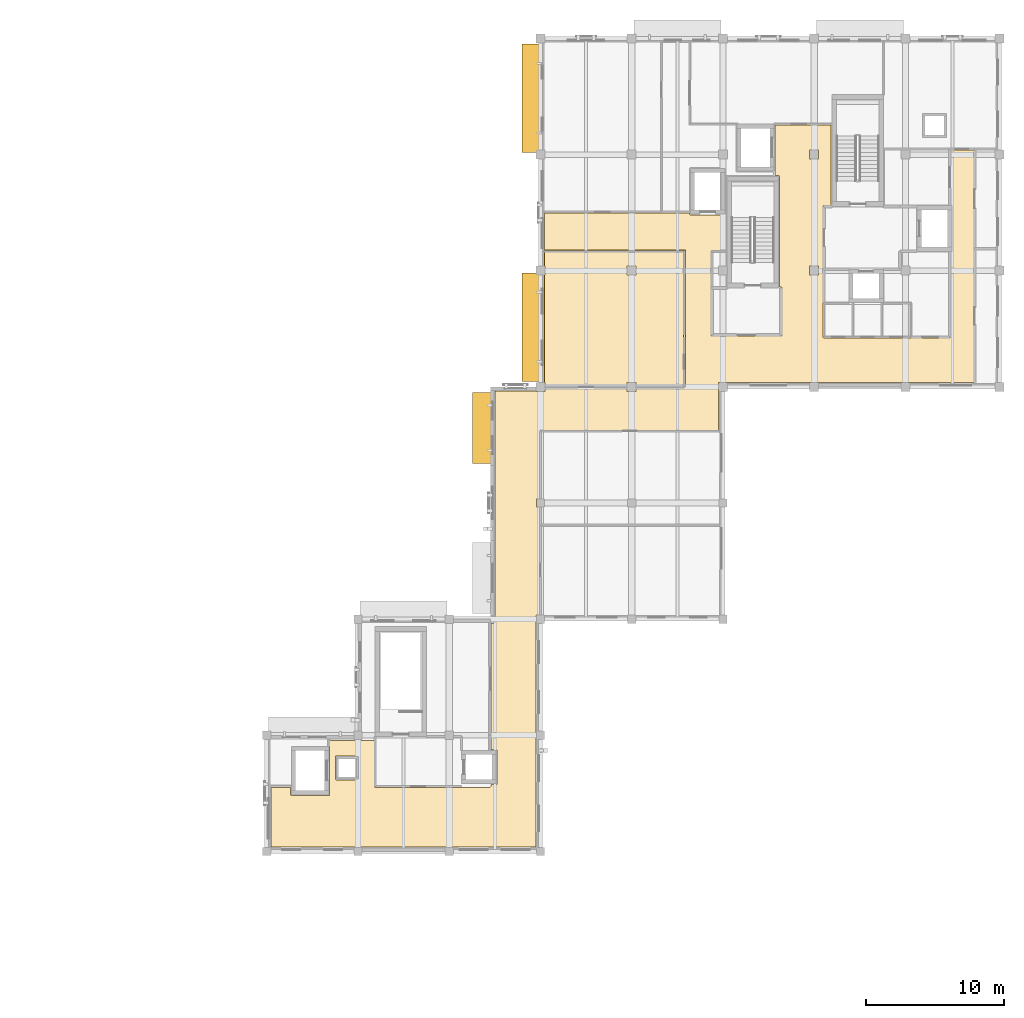
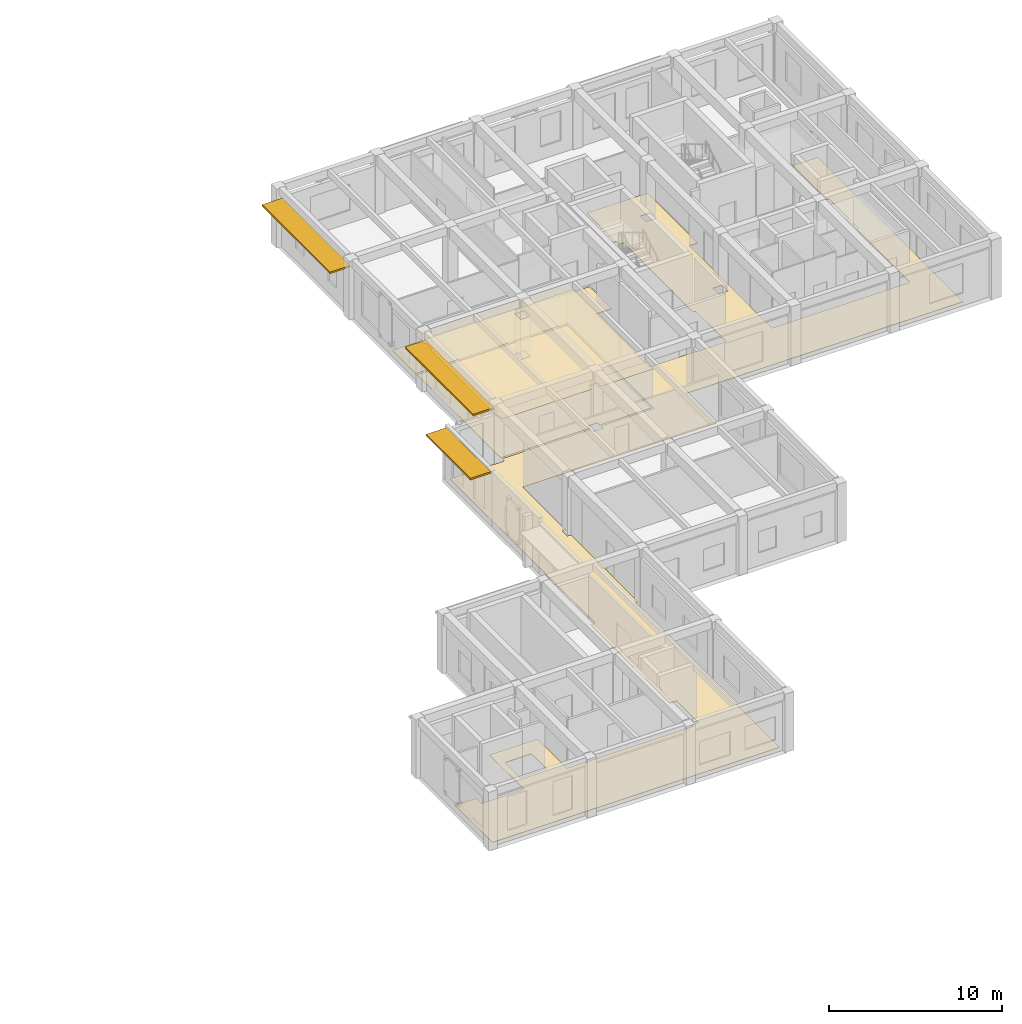
# One storey, part 13 of 14: 3 coverings, 3 shading devices.
"""IFC4 building model written with IfcOpenShell, lengths in metres."""

from ifc_helpers import new_model, si_unit, direction, frame, origin, origin_2d, place, context, subcontext, project, spatial, polyline, rectangle, outline, extrude, material, layer, layer_set, type_object, element, save


model = new_model("IFC4")

# Units and contexts
model_context = context("Model", 3, precision=1e-05, world=origin(), true_north=direction((0.0, 1.0)))
body_context = subcontext(model_context, "Body", "Model", "MODEL_VIEW")
ifc_project = project(units=[si_unit("LENGTHUNIT", "METRE"), si_unit("AREAUNIT", "SQUARE_METRE"), si_unit("VOLUMEUNIT", "CUBIC_METRE"), si_unit("PLANEANGLEUNIT", "RADIAN"), si_unit("MASSUNIT", "GRAM", prefix="KILO")], contexts=[model_context])

# Site, building, storey
site_placement = place(None, origin())
site = spatial("IfcSite", under=ifc_project, at=site_placement, CompositionType="ELEMENT")
building_placement = place(site_placement, origin())
building = spatial("IfcBuilding", under=site, at=building_placement, Name="Kolvaren Faculty of Natural Sciences", CompositionType="ELEMENT")
storey_placement = place(building_placement, frame((0.0, 0.0, 28.5)))
storey = spatial("IfcBuildingStorey", under=building, at=storey_placement, Name="L06", CompositionType="ELEMENT", Elevation=28.5)

# Covering
ifc_material_1 = material(Name="Perforated mineral-fibre acoustic suspended ceiling tile")
ifc_layer_1 = layer(ifc_material_1, 0.02490234375)
ifc_layer_set_1 = layer_set([ifc_layer_1], Name="Perforated mineral-fibre acoustic suspended ceiling tile")
covering_type_1 = type_object("IfcCoveringType", Name="AcousticSuspendedCeiling_25", PredefinedType="CEILING", material=ifc_layer_set_1)
covering_1_placement = place(storey_placement, frame((0.0, 0.0, 2.824951171875)))
element("IfcCovering", 1, at=covering_1_placement, inside=storey, type_object=covering_type_1, Name="L06 L06 Principal Investigator Research Laboratory acoustic ceiling", PredefinedType="CEILING", context=body_context, shape_type="SweptSolid", body=[
    extrude(outline(polyline([(139.02001953125, 67.074951171875), (139.125, 67.074951171875), (139.125, 67.72509765625), (139.02001953125, 67.72509765625), (139.02001953125, 68.8798828125), (149.280029296875, 68.8798828125), (149.280029296875, 58.919921875), (145.72509765625, 58.919921875), (145.72509765625, 59.324951171875), (145.074951171875, 59.324951171875), (145.074951171875, 58.919921875), (139.125, 58.919921875), (139.125, 59.324951171875), (139.02001953125, 59.324951171875), (139.02001953125, 67.074951171875)]), holes=[polyline([(145.72509765625, 67.074951171875), (145.72509765625, 67.72509765625), (145.074951171875, 67.72509765625), (145.074951171875, 67.074951171875), (145.72509765625, 67.074951171875)])]), origin(), (0.0, 0.0, 1.0), 0.025146484375),
])

# Shading devices
ifc_material_2 = material(Name="Precast concrete C35/45", Category="concrete")
ifc_layer_2 = layer(ifc_material_2, 0.1201171875)
ifc_layer_set_2 = layer_set([ifc_layer_2], Name="Precast concrete C35/45")
shading_device_type = type_object("IfcShadingDeviceType", Name="ChhajjaSolarHood_1350", PredefinedType="AWNING", material=ifc_layer_set_2)
shading_device_placement = place(storey_placement, frame((134.544921875, 56.033203125, 3.679931640625), z_axis=(0.0, 0.0, 1.0), x_axis=(0.0, 1.0, 0.0)))
element("IfcShadingDevice", 2, at=shading_device_placement, inside=storey, type_object=shading_device_type, Name="L06 precast sandstone chhajja solar hood 179", PredefinedType="AWNING", context=body_context, shape_type="SweptSolid", body=[
    extrude(rectangle(XDim=5.13330078125, YDim=1.35009765625, at=origin_2d()), origin(), (0.0, 0.0, 1.0), 0.1201171875),
])
for number, where, z_axis, x_axis, name in (
    (3, (138.14501953125, 63.324951171875, 3.344970703125), (0.0, 0.0, 1.0), (0.0, 1.0, 0.0), "L06 precast sandstone chhajja solar hood 180"),
    (4, (138.14501953125, 79.875, 3.344970703125), (0.0, 0.0, 1.0), (0.0, 1.0, 0.0), "L06 precast sandstone chhajja solar hood 181"),
):
    element("IfcShadingDevice", number, at=place(storey_placement, frame(where, z_axis=z_axis, x_axis=x_axis)), inside=storey, type_object=shading_device_type, Name=name, PredefinedType="AWNING", context=body_context, shape_type="SweptSolid", body=[
        extrude(rectangle(XDim=7.85009765625, YDim=1.35009765625, at=origin_2d()), origin(), (0.0, 0.0, 1.0), 0.1201171875),
    ])

# Coverings
ifc_material_3 = material(Name="Seamless chemical-resistant laboratory epoxy resin flooring")
ifc_layer_3 = layer(ifc_material_3, 0.02001953125)
ifc_layer_set_3 = layer_set([ifc_layer_3], Name="Seamless chemical-resistant laboratory epoxy resin flooring")
covering_type_2 = type_object("IfcCoveringType", Name="LabEpoxyFloorFinish_20", PredefinedType="FLOORING", material=ifc_layer_set_3)
covering_2_placement = place(storey_placement, origin())
element("IfcCovering", 5, at=covering_2_placement, inside=storey, type_object=covering_type_2, Name="L06 L06 Principal Investigator Research Laboratory floor finish", PredefinedType="FLOORING", context=body_context, shape_type="SweptSolid", body=[
    extrude(outline(polyline([(145.72509765625, 59.06005859375), (145.72509765625, 59.324951171875), (145.074951171875, 59.324951171875), (145.074951171875, 59.06005859375), (139.125, 59.06005859375), (139.125, 59.324951171875), (139.110107421875, 59.324951171875), (139.110107421875, 67.074951171875), (139.125, 67.074951171875), (139.125, 67.72509765625), (139.110107421875, 67.72509765625), (139.110107421875, 68.739990234375), (149.139892578125, 68.739990234375), (149.139892578125, 59.06005859375), (145.72509765625, 59.06005859375)]), holes=[polyline([(145.72509765625, 67.074951171875), (145.72509765625, 67.72509765625), (145.074951171875, 67.72509765625), (145.074951171875, 67.074951171875), (145.72509765625, 67.074951171875)])]), origin(), (0.0, 0.0, 1.0), 0.02001953125),
])
ifc_material_4 = material(Name="Polished Uruguayan grey granite terrazzo flooring", Category="masonry")
ifc_layer_4 = layer(ifc_material_4, 0.030029296875)
ifc_layer_set_4 = layer_set([ifc_layer_4], Name="Polished Uruguayan grey granite terrazzo flooring")
covering_type_3 = type_object("IfcCoveringType", Name="TerrazzoFloorFinish_30", PredefinedType="FLOORING", material=ifc_layer_set_4)
covering_3_placement = place(storey_placement, origin())
element("IfcCovering", 6, at=covering_3_placement, inside=storey, type_object=covering_type_3, Name="L06 L06 Academic Concourse and Corridor floor finish", PredefinedType="FLOORING", context=body_context, shape_type="SweptSolid", body=[
    extrude(outline(polyline([(126.7900390625, 33.43994140625), (126.7900390625, 30.10009765625), (126.790283203125, 30.093994140625), (126.791259765625, 30.08837890625), (126.79248046875, 30.08251953125), (126.794677734375, 30.076904296875), (126.797119140625, 30.07177734375), (126.800048828125, 30.066650390625), (126.8037109375, 30.06201171875), (126.8076171875, 30.0576171875), (126.81201171875, 30.0537109375), (126.816650390625, 30.050048828125), (126.82177734375, 30.047119140625), (126.826904296875, 30.044677734375), (126.83251953125, 30.04248046875), (126.83837890625, 30.041259765625), (126.843994140625, 30.040283203125), (126.85009765625, 30.0400390625), (135.14990234375, 30.0400390625), (135.156005859375, 30.040283203125), (135.16162109375, 30.041259765625), (135.16748046875, 30.04248046875), (135.173095703125, 30.044677734375), (135.17822265625, 30.047119140625), (135.183349609375, 30.050048828125), (135.18798828125, 30.0537109375), (135.1923828125, 30.0576171875), (135.1962890625, 30.06201171875), (135.199951171875, 30.066650390625), (135.202880859375, 30.07177734375), (135.205322265625, 30.076904296875), (135.20751953125, 30.08251953125), (135.208740234375, 30.08837890625), (135.209716796875, 30.093994140625), (135.2099609375, 30.10009765625), (135.2099609375, 30.239990234375), (135.60009765625, 30.239990234375), (135.60595703125, 30.240234375), (135.61181640625, 30.2412109375), (135.617431640625, 30.24267578125), (135.623046875, 30.24462890625), (135.62841796875, 30.2470703125), (135.63330078125, 30.25), (135.63818359375, 30.253662109375), (135.642333984375, 30.257568359375), (135.646484375, 30.261962890625), (135.64990234375, 30.2666015625), (135.65283203125, 30.271728515625), (135.655517578125, 30.277099609375), (135.657470703125, 30.28271484375), (135.65869140625, 30.288330078125), (135.65966796875, 30.294189453125), (135.659912109375, 30.300048828125), (135.659912109375, 32.699951171875), (135.65966796875, 32.705810546875), (135.65869140625, 32.711669921875), (135.657470703125, 32.71728515625), (135.655517578125, 32.722900390625), (135.65283203125, 32.728271484375), (135.64990234375, 32.7333984375), (135.646484375, 32.738037109375), (135.642333984375, 32.742431640625), (135.63818359375, 32.746337890625), (135.63330078125, 32.75), (135.62841796875, 32.7529296875), (135.623046875, 32.75537109375), (135.617431640625, 32.75732421875), (135.61181640625, 32.7587890625), (135.60595703125, 32.759765625), (135.60009765625, 32.760009765625), (135.2099609375, 32.760009765625), (135.2099609375, 41.889892578125), (135.449951171875, 41.889892578125), (135.455810546875, 41.890380859375), (135.461669921875, 41.89111328125), (135.46728515625, 41.892578125), (135.472900390625, 41.89453125), (135.478271484375, 41.897216796875), (135.4833984375, 41.900146484375), (135.488037109375, 41.903564453125), (135.492431640625, 41.90771484375), (135.496337890625, 41.911865234375), (135.5, 41.916748046875), (135.5029296875, 41.921630859375), (135.50537109375, 41.927001953125), (135.50732421875, 41.9326171875), (135.5087890625, 41.938232421875), (135.509765625, 41.944091796875), (135.510009765625, 41.949951171875), (135.510009765625, 58.68994140625), (138.47509765625, 58.68994140625), (138.47509765625, 58.675048828125), (139.125, 58.675048828125), (139.125, 58.93994140625), (145.074951171875, 58.93994140625), (145.074951171875, 58.675048828125), (145.72509765625, 58.675048828125), (145.72509765625, 58.93994140625), (149.199951171875, 58.93994140625), (149.205810546875, 58.940185546875), (149.211669921875, 58.941162109375), (149.21728515625, 58.942626953125), (149.222900390625, 58.944580078125), (149.228271484375, 58.947021484375), (149.2333984375, 58.9501953125), (149.238037109375, 58.95361328125), (149.242431640625, 58.95751953125), (149.246337890625, 58.9619140625), (149.25, 58.966796875), (149.2529296875, 58.9716796875), (149.25537109375, 58.97705078125), (149.25732421875, 58.982666015625), (149.2587890625, 58.98828125), (149.259765625, 58.994140625), (149.260009765625, 59.0), (149.260009765625, 68.800048828125), (149.259765625, 68.805908203125), (149.2587890625, 68.811767578125), (149.25732421875, 68.8173828125), (149.25537109375, 68.822998046875), (149.2529296875, 68.828369140625), (149.25, 68.833251953125), (149.246337890625, 68.838134765625), (149.242431640625, 68.84228515625), (149.238037109375, 68.846435546875), (149.2333984375, 68.849853515625), (149.228271484375, 68.852783203125), (149.222900390625, 68.85546875), (149.21728515625, 68.857421875), (149.211669921875, 68.85888671875), (149.205810546875, 68.859619140625), (149.199951171875, 68.860107421875), (139.110107421875, 68.860107421875), (139.110107421875, 71.590087890625), (149.590087890625, 71.590087890625), (149.590087890625, 71.5), (149.59033203125, 71.494140625), (149.59130859375, 71.48828125), (149.592529296875, 71.482666015625), (149.594482421875, 71.47705078125), (149.59716796875, 71.4716796875), (149.60009765625, 71.466796875), (149.603515625, 71.4619140625), (149.607666015625, 71.45751953125), (149.61181640625, 71.45361328125), (149.61669921875, 71.4501953125), (149.62158203125, 71.447021484375), (149.626953125, 71.444580078125), (149.632568359375, 71.442626953125), (149.63818359375, 71.441162109375), (149.64404296875, 71.440185546875), (149.64990234375, 71.43994140625), (152.14990234375, 71.43994140625), (152.156005859375, 71.440185546875), (152.16162109375, 71.441162109375), (152.16748046875, 71.442626953125), (152.173095703125, 71.444580078125), (152.17822265625, 71.447021484375), (152.183349609375, 71.4501953125), (152.18798828125, 71.45361328125), (152.18994140625, 71.455322265625), (152.18994140625, 68.860107421875), (151.199951171875, 68.860107421875), (151.194091796875, 68.859619140625), (151.188232421875, 68.85888671875), (151.1826171875, 68.857421875), (151.177001953125, 68.85546875), (151.171630859375, 68.852783203125), (151.166748046875, 68.849853515625), (151.161865234375, 68.846435546875), (151.15771484375, 68.84228515625), (151.153564453125, 68.838134765625), (151.150146484375, 68.833251953125), (151.147216796875, 68.828369140625), (151.14453125, 68.822998046875), (151.142578125, 68.8173828125), (151.14111328125, 68.811767578125), (151.140380859375, 68.805908203125), (151.139892578125, 68.800048828125), (151.139892578125, 62.75), (151.140380859375, 62.744140625), (151.14111328125, 62.73828125), (151.142578125, 62.732666015625), (151.14453125, 62.72705078125), (151.147216796875, 62.7216796875), (151.150146484375, 62.716796875), (151.153564453125, 62.7119140625), (151.15771484375, 62.70751953125), (151.161865234375, 62.70361328125), (151.166748046875, 62.7001953125), (151.171630859375, 62.697021484375), (151.177001953125, 62.694580078125), (151.1826171875, 62.692626953125), (151.188232421875, 62.691162109375), (151.194091796875, 62.690185546875), (151.199951171875, 62.68994140625), (156.199951171875, 62.68994140625), (156.205810546875, 62.690185546875), (156.211669921875, 62.691162109375), (156.21728515625, 62.692626953125), (156.222900390625, 62.694580078125), (156.228271484375, 62.697021484375), (156.2333984375, 62.7001953125), (156.238037109375, 62.70361328125), (156.242431640625, 62.70751953125), (156.246337890625, 62.7119140625), (156.25, 62.716796875), (156.2529296875, 62.7216796875), (156.25537109375, 62.72705078125), (156.25732421875, 62.732666015625), (156.2587890625, 62.73828125), (156.259765625, 62.744140625), (156.260009765625, 62.75), (156.260009765625, 66.14990234375), (156.259765625, 66.156005859375), (156.2587890625, 66.16162109375), (156.25732421875, 66.16748046875), (156.25537109375, 66.173095703125), (156.2529296875, 66.17822265625), (156.25, 66.183349609375), (156.246337890625, 66.18798828125), (156.242431640625, 66.1923828125), (156.238037109375, 66.1962890625), (156.2333984375, 66.199951171875), (156.228271484375, 66.202880859375), (156.222900390625, 66.205322265625), (156.21728515625, 66.20751953125), (156.211669921875, 66.208740234375), (156.205810546875, 66.209716796875), (156.199951171875, 66.2099609375), (156.0849609375, 66.2099609375), (156.0849609375, 74.22509765625), (156.084716796875, 74.23095703125), (156.083740234375, 74.23681640625), (156.08251953125, 74.242431640625), (156.080322265625, 74.248046875), (156.077880859375, 74.25341796875), (156.074951171875, 74.25830078125), (156.0712890625, 74.26318359375), (156.0673828125, 74.267333984375), (156.06298828125, 74.271484375), (156.058349609375, 74.27490234375), (156.05322265625, 74.27783203125), (156.048095703125, 74.280517578125), (156.04248046875, 74.282470703125), (156.03662109375, 74.28369140625), (156.031005859375, 74.28466796875), (156.02490234375, 74.284912109375), (155.760009765625, 74.284912109375), (155.760009765625, 77.93994140625), (159.81494140625, 77.93994140625), (159.81494140625, 72.110107421875), (159.300048828125, 72.110107421875), (159.294189453125, 72.109619140625), (159.288330078125, 72.10888671875), (159.28271484375, 72.107421875), (159.277099609375, 72.10546875), (159.271728515625, 72.102783203125), (159.2666015625, 72.099853515625), (159.261962890625, 72.096435546875), (159.257568359375, 72.09228515625), (159.253662109375, 72.088134765625), (159.25, 72.083251953125), (159.2470703125, 72.078369140625), (159.24462890625, 72.072998046875), (159.24267578125, 72.0673828125), (159.2412109375, 72.061767578125), (159.240234375, 72.055908203125), (159.239990234375, 72.050048828125), (159.239990234375, 62.60009765625), (159.240234375, 62.593994140625), (159.2412109375, 62.58837890625), (159.24267578125, 62.58251953125), (159.24462890625, 62.576904296875), (159.2470703125, 62.57177734375), (159.25, 62.566650390625), (159.253662109375, 62.56201171875), (159.257568359375, 62.5576171875), (159.261962890625, 62.5537109375), (159.2666015625, 62.550048828125), (159.271728515625, 62.547119140625), (159.277099609375, 62.544677734375), (159.28271484375, 62.54248046875), (159.288330078125, 62.541259765625), (159.294189453125, 62.540283203125), (159.300048828125, 62.5400390625), (168.39990234375, 62.5400390625), (168.406005859375, 62.540283203125), (168.41162109375, 62.541259765625), (168.41748046875, 62.54248046875), (168.423095703125, 62.544677734375), (168.42822265625, 62.547119140625), (168.433349609375, 62.550048828125), (168.43798828125, 62.5537109375), (168.4423828125, 62.5576171875), (168.4462890625, 62.56201171875), (168.449951171875, 62.566650390625), (168.452880859375, 62.57177734375), (168.455322265625, 62.576904296875), (168.45751953125, 62.58251953125), (168.458740234375, 62.58837890625), (168.459716796875, 62.593994140625), (168.4599609375, 62.60009765625), (168.4599609375, 68.739990234375), (168.550048828125, 68.739990234375), (168.555908203125, 68.740234375), (168.561767578125, 68.7412109375), (168.5673828125, 68.74267578125), (168.572998046875, 68.74462890625), (168.578369140625, 68.7470703125), (168.583251953125, 68.75), (168.588134765625, 68.753662109375), (168.59228515625, 68.757568359375), (168.596435546875, 68.761962890625), (168.599853515625, 68.7666015625), (168.602783203125, 68.771728515625), (168.60546875, 68.777099609375), (168.607421875, 68.78271484375), (168.60888671875, 68.788330078125), (168.609619140625, 68.794189453125), (168.610107421875, 68.800048828125), (168.610107421875, 72.10009765625), (168.609619140625, 72.10595703125), (168.60888671875, 72.11181640625), (168.607421875, 72.117431640625), (168.60546875, 72.123046875), (168.602783203125, 72.12841796875), (168.599853515625, 72.13330078125), (168.596435546875, 72.13818359375), (168.59228515625, 72.142333984375), (168.588134765625, 72.146484375), (168.583251953125, 72.14990234375), (168.578369140625, 72.15283203125), (168.572998046875, 72.155517578125), (168.5673828125, 72.157470703125), (168.561767578125, 72.15869140625), (168.555908203125, 72.15966796875), (168.550048828125, 72.159912109375), (168.4599609375, 72.159912109375), (168.4599609375, 76.139892578125), (170.139892578125, 76.139892578125), (170.139892578125, 59.31005859375), (165.52490234375, 59.31005859375), (165.52490234375, 59.324951171875), (164.875, 59.324951171875), (164.875, 59.31005859375), (158.925048828125, 59.31005859375), (158.925048828125, 59.324951171875), (158.27490234375, 59.324951171875), (158.27490234375, 59.31005859375), (152.324951171875, 59.31005859375), (152.324951171875, 59.324951171875), (151.675048828125, 59.324951171875), (151.675048828125, 58.675048828125), (151.68994140625, 58.675048828125), (151.68994140625, 55.860107421875), (138.800048828125, 55.860107421875), (138.794189453125, 55.859619140625), (138.788330078125, 55.85888671875), (138.78271484375, 55.857421875), (138.777099609375, 55.85546875), (138.771728515625, 55.852783203125), (138.7666015625, 55.849853515625), (138.761962890625, 55.846435546875), (138.757568359375, 55.84228515625), (138.753662109375, 55.838134765625), (138.75, 55.833251953125), (138.7470703125, 55.828369140625), (138.74462890625, 55.822998046875), (138.74267578125, 55.8173828125), (138.7412109375, 55.811767578125), (138.740234375, 55.805908203125), (138.739990234375, 55.800048828125), (138.739990234375, 50.89990234375), (138.5, 50.89990234375), (138.5, 50.300048828125), (138.739990234375, 50.300048828125), (138.739990234375, 42.510009765625), (138.550048828125, 42.510009765625), (138.544189453125, 42.509765625), (138.538330078125, 42.5087890625), (138.53271484375, 42.50732421875), (138.527099609375, 42.50537109375), (138.521728515625, 42.5029296875), (138.516845703125, 42.5), (138.5, 42.5), (138.5, 42.483154296875), (138.4970703125, 42.478271484375), (138.49462890625, 42.472900390625), (138.49267578125, 42.46728515625), (138.4912109375, 42.461669921875), (138.490234375, 42.455810546875), (138.489990234375, 42.449951171875), (138.489990234375, 25.7099609375), (119.31005859375, 25.7099609375), (119.31005859375, 30.0400390625), (120.739990234375, 30.0400390625), (120.739990234375, 29.5), (120.740234375, 29.494140625), (120.7412109375, 29.48828125), (120.74267578125, 29.482666015625), (120.74462890625, 29.47705078125), (120.7470703125, 29.4716796875), (120.75, 29.466796875), (120.753662109375, 29.4619140625), (120.757568359375, 29.45751953125), (120.761962890625, 29.45361328125), (120.7666015625, 29.4501953125), (120.771728515625, 29.447021484375), (120.777099609375, 29.444580078125), (120.78271484375, 29.442626953125), (120.788330078125, 29.441162109375), (120.794189453125, 29.440185546875), (120.800048828125, 29.43994140625), (123.5, 29.43994140625), (123.505859375, 29.440185546875), (123.51171875, 29.441162109375), (123.517333984375, 29.442626953125), (123.52294921875, 29.444580078125), (123.5283203125, 29.447021484375), (123.533203125, 29.4501953125), (123.5380859375, 29.45361328125), (123.54248046875, 29.45751953125), (123.54638671875, 29.4619140625), (123.5498046875, 29.466796875), (123.552978515625, 29.4716796875), (123.555419921875, 29.47705078125), (123.557373046875, 29.482666015625), (123.558837890625, 29.48828125), (123.559814453125, 29.494140625), (123.56005859375, 29.5), (123.56005859375, 33.43994140625), (126.7900390625, 33.43994140625)]), holes=[polyline([(123.980224609375, 30.634033203125), (123.981201171875, 30.62841796875), (123.982666015625, 30.62255859375), (123.984619140625, 30.616943359375), (123.987060546875, 30.61181640625), (123.989990234375, 30.606689453125), (123.99365234375, 30.601806640625), (123.99755859375, 30.59765625), (124.001953125, 30.593505859375), (124.006591796875, 30.590087890625), (124.01171875, 30.587158203125), (124.01708984375, 30.584716796875), (124.022705078125, 30.58251953125), (124.0283203125, 30.581298828125), (124.0341796875, 30.580322265625), (124.0400390625, 30.580078125), (125.659912109375, 30.580078125), (125.666015625, 30.580322265625), (125.671630859375, 30.581298828125), (125.677490234375, 30.58251953125), (125.68310546875, 30.584716796875), (125.688232421875, 30.587158203125), (125.693359375, 30.590087890625), (125.697998046875, 30.593505859375), (125.702392578125, 30.59765625), (125.706298828125, 30.601806640625), (125.7099609375, 30.606689453125), (125.712890625, 30.61181640625), (125.71533203125, 30.616943359375), (125.71728515625, 30.62255859375), (125.71875, 30.62841796875), (125.7197265625, 30.634033203125), (125.719970703125, 30.639892578125), (125.719970703125, 32.260009765625), (125.7197265625, 32.265869140625), (125.71875, 32.271728515625), (125.71728515625, 32.27734375), (125.71533203125, 32.282958984375), (125.712890625, 32.288330078125), (125.7099609375, 32.293212890625), (125.706298828125, 32.298095703125), (125.702392578125, 32.302490234375), (125.697998046875, 32.306396484375), (125.693359375, 32.309814453125), (125.688232421875, 32.31298828125), (125.68310546875, 32.3154296875), (125.677490234375, 32.3173828125), (125.671630859375, 32.31884765625), (125.666015625, 32.319580078125), (125.659912109375, 32.320068359375), (124.0400390625, 32.320068359375), (124.0341796875, 32.319580078125), (124.0283203125, 32.31884765625), (124.022705078125, 32.3173828125), (124.01708984375, 32.3154296875), (124.01171875, 32.31298828125), (124.006591796875, 32.309814453125), (124.001953125, 32.306396484375), (123.99755859375, 32.302490234375), (123.99365234375, 32.298095703125), (123.989990234375, 32.293212890625), (123.987060546875, 32.288330078125), (123.984619140625, 32.282958984375), (123.982666015625, 32.27734375), (123.981201171875, 32.271728515625), (123.980224609375, 32.265869140625), (123.97998046875, 32.260009765625), (123.97998046875, 30.639892578125), (123.980224609375, 30.634033203125)]), polyline([(158.925048828125, 67.074951171875), (158.925048828125, 67.72509765625), (158.27490234375, 67.72509765625), (158.27490234375, 67.074951171875), (158.925048828125, 67.074951171875)]), polyline([(158.925048828125, 75.47509765625), (158.925048828125, 76.125), (158.27490234375, 76.125), (158.27490234375, 75.47509765625), (158.925048828125, 75.47509765625)])]), origin(), (0.0, 0.0, 1.0), 0.030029296875),
])

save(model, "model.ifc")
